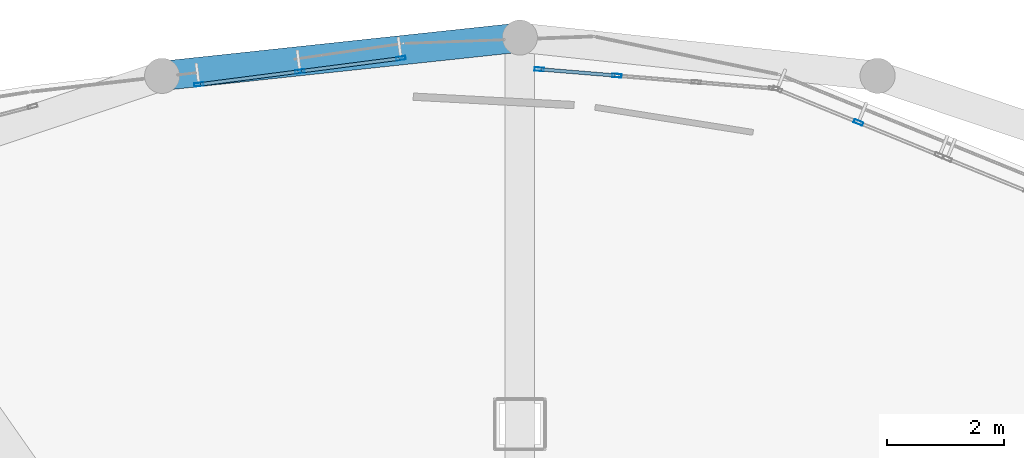
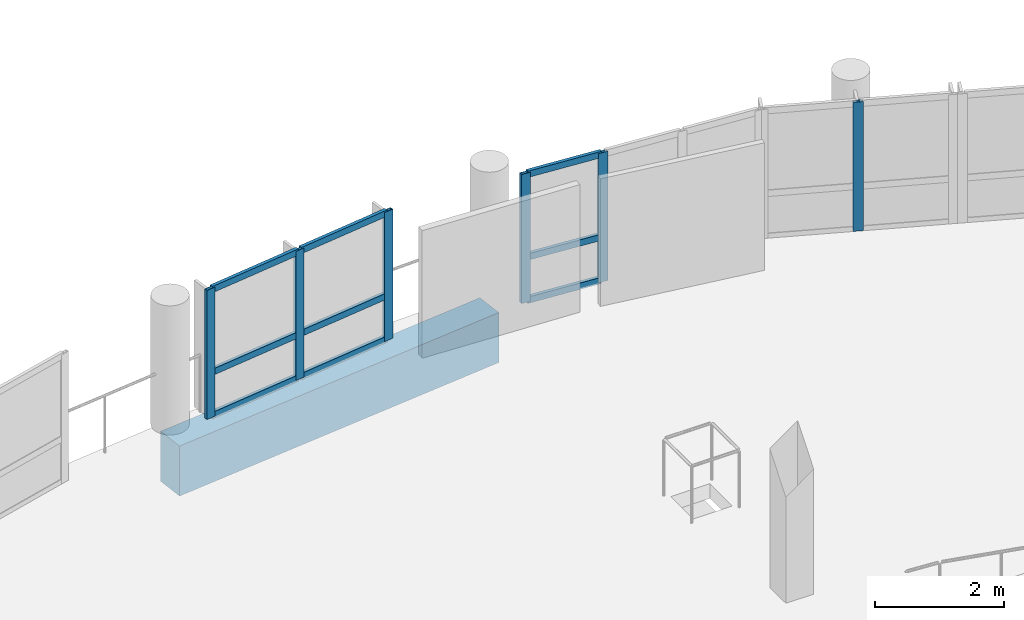
# One storey, part 21 of 43: 15 members, 1 beam, 3 elements without a shape of their own.
"""IFC4 building model written with IfcOpenShell, lengths in metres."""

import ifcopenshell
import ifcopenshell.guid

model = None  # the IFC model being written
_history = None  # IfcOwnerHistory: only IFC2X3 demands one
_inside = {}  # id of a spatial element -> (the spatial element, [elements in it])
_under = {}  # id of a project, library or spatial element -> (it, [spatial elements below it])
_declared = {}  # id of a project -> (the project, [libraries it declares])
_typed = {}  # id of a type object -> (the type object, [elements of that type])
_made_of = {}  # id of a material, layer set ... -> (it, [elements and type objects made of it])


def new_model(schema):
    """Start an empty IFC model of exactly this schema.

    Asked for "IFC4X3", IfcOpenShell would pick the latest addendum, in which some entities
    have other attributes; the version numbers below select the first issue.
    IFC2X3 requires an IfcOwnerHistory on every rooted entity: one is made here for all.
    """
    global model, _history
    if schema == "IFC4X3":
        model = ifcopenshell.file(schema_version=(4, 3, 0, 0))
    else:
        model = ifcopenshell.file(schema=schema)
    _inside.clear()
    _under.clear()
    _declared.clear()
    _typed.clear()
    _made_of.clear()
    _history = None
    if model.schema == "IFC2X3":
        org = make("IfcOrganization", Name="unknown")
        user = make(
            "IfcPersonAndOrganization",
            ThePerson=make("IfcPerson", FamilyName="unknown"),
            TheOrganization=org,
        )
        app = make(
            "IfcApplication",
            ApplicationDeveloper=org,
            Version="unknown",
            ApplicationFullName="unknown",
            ApplicationIdentifier="unknown",
        )
        _history = make(
            "IfcOwnerHistory",
            OwningUser=user,
            OwningApplication=app,
            ChangeAction="ADDED",
            CreationDate=0,
        )
    return model


def make(cls, **values):
    """One entity of the class cls with the attributes given. An attribute that is None is left unset."""
    return model.create_entity(
        cls, **{name: value for name, value in values.items() if value is not None}
    )


def rooted(cls, **values):
    """An entity with a GlobalId (a new one), such as an element, a storey or a relation."""
    return make(cls, GlobalId=ifcopenshell.guid.new(), OwnerHistory=_history, **values)


def si_unit(unit_type, name, prefix=None):
    """IfcSIUnit, for example si_unit("LENGTHUNIT", "METRE", prefix="MILLI")."""
    return make("IfcSIUnit", UnitType=unit_type, Prefix=prefix, Name=name)


def derived_unit(unit_type, elements):
    """IfcDerivedUnit: a product of units, each with its exponent."""
    return make(
        "IfcDerivedUnit",
        Elements=[
            make("IfcDerivedUnitElement", Unit=unit, Exponent=power)
            for unit, power in elements
        ],
        UnitType=unit_type,
    )


def assignment(units):
    """IfcUnitAssignment: the units of a project."""
    return None if units is None else make("IfcUnitAssignment", Units=units)


def point(xyz):
    """IfcCartesianPoint."""
    return None if xyz is None else make("IfcCartesianPoint", Coordinates=xyz)


def direction(xyz):
    """IfcDirection."""
    return None if xyz is None else make("IfcDirection", DirectionRatios=xyz)


def frame(location, z_axis=None, x_axis=None):
    """IfcAxis2Placement3D, a coordinate frame: its origin and axes. An axis left out is left unset."""
    return make(
        "IfcAxis2Placement3D",
        Location=point(location),
        Axis=direction(z_axis),
        RefDirection=direction(x_axis),
    )


def frame_2d(location, x_axis=None):
    """IfcAxis2Placement2D, a coordinate frame in the plane: its origin and x axis."""
    return make(
        "IfcAxis2Placement2D", Location=point(location), RefDirection=direction(x_axis)
    )


def origin():
    """The frame at (0, 0, 0) with its axes left unset."""
    return frame((0.0, 0.0, 0.0))


def origin_2d():
    """The frame at (0, 0) in the plane with its x axis left unset."""
    return frame_2d((0.0, 0.0))


def place(relative_to, where):
    """IfcLocalPlacement: puts the frame where relative to a parent placement (None: the world)."""
    return make(
        "IfcLocalPlacement", PlacementRelTo=relative_to, RelativePlacement=where
    )


def context(
    kind, dimensions, precision=None, world=None, true_north=None, identifier=None
):
    """IfcGeometricRepresentationContext, for example the 3D "Model" context."""
    return make(
        "IfcGeometricRepresentationContext",
        ContextIdentifier=identifier,
        ContextType=kind,
        CoordinateSpaceDimension=dimensions,
        Precision=precision,
        WorldCoordinateSystem=world,
        TrueNorth=true_north,
    )


def subcontext(parent, identifier, kind, view, scale=None):
    """IfcGeometricRepresentationSubContext, for example "Body" below "Model"."""
    return make(
        "IfcGeometricRepresentationSubContext",
        ContextIdentifier=identifier,
        ContextType=kind,
        ParentContext=parent,
        TargetScale=scale,
        TargetView=view,
    )


def project(units=None, contexts=None):
    """IfcProject with its units and contexts."""
    return rooted(
        "IfcProject",
        Name="project",
        RepresentationContexts=contexts,
        UnitsInContext=assignment(units),
    )


def spatial(cls, under=None, at=None, **own):
    """A site, building, storey or space (cls), placed at a placement, below another one or the project."""
    s = rooted(cls, ObjectPlacement=at, **own)
    if under is not None:
        _under.setdefault(under.id(), (under, []))[1].append(s)
    return s


def profile(cls, at=None, kind="AREA", **sizes):
    """A parametric profile (cls). Its sizes go by their IFC names, for example OverallWidth=200.0."""
    return make(cls, ProfileType=kind, Position=at, **sizes)


def rectangle(**sizes):
    """IfcRectangleProfileDef."""
    return profile("IfcRectangleProfileDef", **sizes)


def hollow_rectangle(**sizes):
    """IfcRectangleHollowProfileDef."""
    return profile("IfcRectangleHollowProfileDef", **sizes)


def extrude(swept, where, along, depth):
    """IfcExtrudedAreaSolid: the profile swept, set in the frame where, extruded along a direction by depth."""
    return make(
        "IfcExtrudedAreaSolid",
        SweptArea=swept,
        Position=where,
        ExtrudedDirection=direction(along),
        Depth=depth,
    )


def shape(context_of_items, identifier, shape_type, items):
    """IfcShapeRepresentation: the items that make up one representation, for example the "Body"."""
    return make(
        "IfcShapeRepresentation",
        ContextOfItems=context_of_items,
        RepresentationIdentifier=identifier,
        RepresentationType=shape_type,
        Items=items,
    )


def material(Name=None, Category=None):
    """IfcMaterial."""
    return make("IfcMaterial", Name=Name, Category=Category)


def layer(
    of_material, thickness, ventilated=None, Name=None, Category=None, Priority=None
):
    """IfcMaterialLayer: one layer of a wall or slab, of a material (None: an air gap)."""
    return make(
        "IfcMaterialLayer",
        Material=of_material,
        LayerThickness=thickness,
        IsVentilated=ventilated,
        Name=Name,
        Category=Category,
        Priority=Priority,
    )


def layer_set(layers, Name=None):
    """IfcMaterialLayerSet."""
    return make("IfcMaterialLayerSet", MaterialLayers=layers, LayerSetName=Name)


def material_profile(
    of_material, cross_section, Name=None, Category=None, Priority=None
):
    """IfcMaterialProfile: a cross section and its material."""
    return make(
        "IfcMaterialProfile",
        Name=Name,
        Material=of_material,
        Profile=cross_section,
        Priority=Priority,
        Category=Category,
    )


def profile_set(profiles, Name=None, composite=None):
    """IfcMaterialProfileSet."""
    return make(
        "IfcMaterialProfileSet",
        Name=Name,
        MaterialProfiles=profiles,
        CompositeProfile=composite,
    )


def made_of(thing, what):
    """Note that an element or type object is made of a material, layer set ...; save() writes the relation."""
    if what is not None:
        _made_of.setdefault(what.id(), (what, []))[1].append(thing)
    return thing


def type_object(cls, material=None, **own):
    """A type object (cls), such as IfcWallType, which elements share."""
    return made_of(rooted(cls, **own), material)


def element(
    cls,
    number,
    at=None,
    inside=None,
    cuts=None,
    type_object=None,
    material=None,
    context=None,
    identifier="Body",
    shape_type=None,
    held_by="IfcProductDefinitionShape",
    body=None,
    shapes=None,
    **own,
):
    """One element of the class cls, such as IfcWall. Its Tag is "e" and its number.

    at: its placement. inside: the storey or other place that contains it. cuts: it is an
    opening in that element (IfcRelVoidsElement). A single representation is given by context,
    identifier, shape_type and body (its items); several are given by shapes. held_by: the class
    of the entity that holds the representations. save() writes the other relations.
    """
    e = rooted(cls, Tag="e%d" % number, ObjectPlacement=at, **own)
    if body is not None:
        shapes = [shape(context, identifier, shape_type, body)]
    if shapes is not None:
        e.Representation = make(held_by, Representations=shapes)
    if inside is not None:
        _inside.setdefault(inside.id(), (inside, []))[1].append(e)
    if cuts is not None:
        rooted(
            "IfcRelVoidsElement", RelatingBuildingElement=cuts, RelatedOpeningElement=e
        )
    if type_object is not None:
        _typed.setdefault(type_object.id(), (type_object, []))[1].append(e)
    return made_of(e, material)


def aggregate(whole, parts):
    """IfcRelAggregates: a whole, such as a stair, and the parts it consists of."""
    return rooted("IfcRelAggregates", RelatingObject=whole, RelatedObjects=parts)


def save(model, path):
    """Write the relations noted so far, then the file.

    IfcRelAggregates (storeys below a building ...), IfcRelContainedInSpatialStructure (elements
    in a storey), IfcRelDefinesByType, IfcRelAssociatesMaterial and IfcRelDeclares: one each for
    every whole, place, type object, material and project.
    """
    for whole, parts in _under.values():
        aggregate(whole, parts)
    for where, things in _inside.values():
        rooted(
            "IfcRelContainedInSpatialStructure",
            RelatedElements=things,
            RelatingStructure=where,
        )
    for kind, things in _typed.values():
        rooted("IfcRelDefinesByType", RelatedObjects=things, RelatingType=kind)
    for what, things in _made_of.values():
        rooted("IfcRelAssociatesMaterial", RelatedObjects=things, RelatingMaterial=what)
    for by, libraries in _declared.values():
        rooted("IfcRelDeclares", RelatingContext=by, RelatedDefinitions=libraries)
    model.write(path)


model = new_model("IFC4")

# Units and contexts
model_context = context("Model", 3, precision=1e-05, world=origin(), true_north=direction((0.0, 1.0)))
body_context = subcontext(model_context, "Body", "Model", "MODEL_VIEW")
ifc_project = project(units=[si_unit("LENGTHUNIT", "METRE"), si_unit("AREAUNIT", "SQUARE_METRE"), si_unit("VOLUMEUNIT", "CUBIC_METRE"), si_unit("PLANEANGLEUNIT", "RADIAN"), si_unit("MASSUNIT", "GRAM", prefix="KILO"), derived_unit("THERMALTRANSMITTANCEUNIT", [(si_unit("POWERUNIT", "WATT"), 1), (si_unit("LENGTHUNIT", "METRE"), -2), (si_unit("THERMODYNAMICTEMPERATUREUNIT", "KELVIN"), -1)])], contexts=[model_context])

# Site, building, storey
site_placement = place(None, origin())
site = spatial("IfcSite", under=ifc_project, at=site_placement, CompositionType="ELEMENT")
building_placement = place(site_placement, origin())
building = spatial("IfcBuilding", under=site, at=building_placement, Name="Elbkamm Science Centre", CompositionType="ELEMENT")
storey_placement = place(building_placement, frame((0.0, 0.0, 18.300048828125)))
storey = spatial("IfcBuildingStorey", under=building, at=storey_placement, Name="L04", CompositionType="ELEMENT", Elevation=18.300048828125)

# Beam
ifc_material_1 = material(Name="Concrete C40/50", Category="concrete")
ifc_material_profile_1 = material_profile(ifc_material_1, rectangle(XDim=0.5, YDim=0.949951171875, at=origin_2d()), Name="RC 500x950")
ifc_profile_set_1 = profile_set([ifc_material_profile_1], Name="Concrete C40/50")
beam_type = type_object("IfcBeamType", Name="BM-RC-500x950", PredefinedType="BEAM", material=ifc_profile_set_1)
beam_placement = place(storey_placement, frame((63.0, 86.39990234375, -0.755126953125), z_axis=(-0.994319674005, -0.106434890358, 0.0), x_axis=(0.106434890358, -0.994319674005, 0.0)))
element("IfcBeam", 1, at=beam_placement, inside=storey, type_object=beam_type, Name="L04 Elliptical Shell Perimeter Ring Beam 07", PredefinedType="SPANDREL", context=body_context, shape_type="SweptSolid", body=[
    extrude(rectangle(XDim=0.5, YDim=0.949951171875, at=origin_2d()), origin(), (0.0, 0.0, 1.0), 6.142822265625),
])

# Curtain wall, member
ifc_material_2 = material(Name="Powder-coated aluminium and triple low-E glazing", Category="aluminium")
ifc_layer_1 = layer(ifc_material_2, 0.159912109375)
ifc_layer_set_1 = layer_set([ifc_layer_1], Name="Powder-coated aluminium and triple low-E glazing")
curtain_wall_type_1 = type_object("IfcCurtainWallType", Name="CW-UNIT-3060x2460", PredefinedType="USERDEFINED", material=ifc_layer_set_1)
curtain_wall_1_placement = place(storey_placement, origin())
curtain_wall_1 = element("IfcCurtainWall", 2, at=curtain_wall_1_placement, inside=storey, type_object=curtain_wall_type_1, Name="L04 Unitised Curtain Wall 081", ObjectType="UNITISED CURTAIN WALL", PredefinedType="USERDEFINED")
ifc_material_3 = material(Name="Powder-coated aluminium EN AW-6060", Category="aluminium")
ifc_material_profile_2 = material_profile(ifc_material_3, hollow_rectangle(XDim=0.06005859375, YDim=0.159912109375, WallThickness=0.00390625, at=origin_2d()), Name="ALU M60x160")
ifc_profile_set_2 = profile_set([ifc_material_profile_2], Name="Powder-coated aluminium EN AW-6060")
member_type_1 = type_object("IfcMemberType", Name="CW-MUL-60x160", PredefinedType="MULLION", material=ifc_profile_set_2)
member_1_placement = place(storey_placement, frame((68.780517578125, 84.950439453125, 0.0), z_axis=(0.0, 0.0, 1.0), x_axis=(-0.378001302905, -0.925805063176, 0.0)))
member_1 = element("IfcMember", 3, at=member_1_placement, type_object=member_type_1, Name="CW-036 mullion 2", PredefinedType="MULLION", context=body_context, shape_type="SweptSolid", body=[
    extrude(hollow_rectangle(XDim=0.06005859375, YDim=0.159912109375, WallThickness=0.00390625, at=origin_2d()), origin(), (0.0, 0.0, 1.0), 2.449951171875),
])
aggregate(curtain_wall_1, [member_1])

# Curtain wall, members
ifc_layer_2 = layer(ifc_material_2, 0.159912109375)
ifc_layer_set_2 = layer_set([ifc_layer_2], Name="Powder-coated aluminium and triple low-E glazing")
curtain_wall_type_2 = type_object("IfcCurtainWallType", Name="CW-UNIT-4080x2460", PredefinedType="USERDEFINED", material=ifc_layer_set_2)
curtain_wall_2_placement = place(storey_placement, origin())
curtain_wall_2 = element("IfcCurtainWall", 4, at=curtain_wall_2_placement, inside=storey, type_object=curtain_wall_type_2, Name="L04 Unitised Curtain Wall 082", ObjectType="UNITISED CURTAIN WALL", PredefinedType="USERDEFINED")
member_2_placement = place(storey_placement, frame((64.65625, 85.749755859375, 0.0), z_axis=(0.0, 0.0, 1.0), x_axis=(-0.081806179051, -0.996648257445, 0.0)))
member_2 = element("IfcMember", 5, at=member_2_placement, type_object=member_type_1, Name="CW-037 mullion 3", PredefinedType="MULLION", context=body_context, shape_type="SweptSolid", body=[
    extrude(hollow_rectangle(XDim=0.06005859375, YDim=0.159912109375, WallThickness=0.00390625, at=origin_2d()), origin(), (0.0, 0.0, 1.0), 2.449951171875),
])
member_3_placement = place(storey_placement, frame((63.330810546875, 85.858642578125, 0.0), z_axis=(0.0, 0.0, 1.0), x_axis=(-0.081806179051, -0.996648257445, 0.0)))
member_3 = element("IfcMember", 6, at=member_3_placement, type_object=member_type_1, Name="CW-037 mullion 4", PredefinedType="MULLION", context=body_context, shape_type="SweptSolid", body=[
    extrude(hollow_rectangle(XDim=0.06005859375, YDim=0.159912109375, WallThickness=0.00390625, at=origin_2d()), origin(), (0.0, 0.0, 1.0), 2.449951171875),
])

ifc_layer_3 = layer(ifc_material_2, 0.159912109375)
ifc_layer_set_3 = layer_set([ifc_layer_3], Name="Powder-coated aluminium and triple low-E glazing")
curtain_wall_type_3 = type_object("IfcCurtainWallType", Name="CW-UNIT-3540x2460", PredefinedType="USERDEFINED", material=ifc_layer_set_3)
curtain_wall_3_placement = place(storey_placement, origin())
curtain_wall_3 = element("IfcCurtainWall", 7, at=curtain_wall_3_placement, inside=storey, type_object=curtain_wall_type_3, Name="L04 Unitised Curtain Wall 083", ObjectType="UNITISED CURTAIN WALL", PredefinedType="USERDEFINED")
member_4_placement = place(storey_placement, frame((60.97021484375, 86.046142578125, 0.0), z_axis=(0.0, 0.0, 1.0), x_axis=(0.128749601818, -0.991677134975, 0.0)))
member_4 = element("IfcMember", 8, at=member_4_placement, type_object=member_type_1, Name="CW-038 mullion 1", PredefinedType="MULLION", context=body_context, shape_type="SweptSolid", body=[
    extrude(hollow_rectangle(XDim=0.06005859375, YDim=0.159912109375, WallThickness=0.00390625, at=origin_2d()), origin(), (0.0, 0.0, 1.0), 2.449951171875),
])
member_5_placement = place(storey_placement, frame((59.245361328125, 85.822265625, 0.0), z_axis=(0.0, 0.0, 1.0), x_axis=(0.128749601818, -0.991677134975, 0.0)))
member_5 = element("IfcMember", 9, at=member_5_placement, type_object=member_type_1, Name="CW-038 mullion 2", PredefinedType="MULLION", context=body_context, shape_type="SweptSolid", body=[
    extrude(hollow_rectangle(XDim=0.06005859375, YDim=0.159912109375, WallThickness=0.00390625, at=origin_2d()), origin(), (0.0, 0.0, 1.0), 2.449951171875),
])
member_6_placement = place(storey_placement, frame((57.5205078125, 85.59814453125, 0.0), z_axis=(0.0, 0.0, 1.0), x_axis=(0.128749601818, -0.991677134975, 0.0)))
member_6 = element("IfcMember", 10, at=member_6_placement, type_object=member_type_1, Name="CW-038 mullion 3", PredefinedType="MULLION", context=body_context, shape_type="SweptSolid", body=[
    extrude(hollow_rectangle(XDim=0.06005859375, YDim=0.159912109375, WallThickness=0.00390625, at=origin_2d()), origin(), (0.0, 0.0, 1.0), 2.449951171875),
])

# Member
ifc_material_profile_3 = material_profile(ifc_material_3, hollow_rectangle(XDim=0.06005859375, YDim=0.1201171875, WallThickness=0.00341796875, at=origin_2d()), Name="ALU T60x120")
ifc_profile_set_3 = profile_set([ifc_material_profile_3], Name="Powder-coated aluminium EN AW-6060")
member_type_2 = type_object("IfcMemberType", Name="CW-TRN-60x120", PredefinedType="USERDEFINED", material=ifc_profile_set_3)
member_7_placement = place(storey_placement, frame((64.62646484375, 85.752197265625, 0.030029296875), z_axis=(-0.996641852652, 0.0818841715, 0.0), x_axis=(-0.0818841715, -0.996641852652, 0.0)))
member_7 = element("IfcMember", 11, at=member_7_placement, type_object=member_type_2, Name="CW-037 transom 3.1", ObjectType="TRANSOM", PredefinedType="USERDEFINED", context=body_context, shape_type="SweptSolid", body=[
    extrude(hollow_rectangle(XDim=0.06005859375, YDim=0.1201171875, WallThickness=0.00341796875, at=origin_2d()), origin(), (0.0, 0.0, 1.0), 1.27001953125),
])

member_8_placement = place(storey_placement, frame((64.62646484375, 85.752197265625, 0.849853515625), z_axis=(-0.996641852652, 0.0818841715, 0.0), x_axis=(-0.0818841715, -0.996641852652, 0.0)))
member_8 = element("IfcMember", 12, at=member_8_placement, type_object=member_type_2, Name="CW-037 transom 3.2", ObjectType="TRANSOM", PredefinedType="USERDEFINED", context=body_context, shape_type="SweptSolid", body=[
    extrude(hollow_rectangle(XDim=0.06005859375, YDim=0.1201171875, WallThickness=0.00341796875, at=origin_2d()), origin(), (0.0, 0.0, 1.0), 1.27001953125),
])

member_9_placement = place(storey_placement, frame((64.62646484375, 85.752197265625, 2.419921875), z_axis=(-0.996641852652, 0.0818841715, 0.0), x_axis=(-0.0818841715, -0.996641852652, 0.0)))
member_9 = element("IfcMember", 13, at=member_9_placement, type_object=member_type_2, Name="CW-037 transom 3.3", ObjectType="TRANSOM", PredefinedType="USERDEFINED", context=body_context, shape_type="SweptSolid", body=[
    extrude(hollow_rectangle(XDim=0.06005859375, YDim=0.1201171875, WallThickness=0.00341796875, at=origin_2d()), origin(), (0.0, 0.0, 1.0), 1.27001953125),
])

aggregate(curtain_wall_2, [member_2, member_3, member_7, member_8, member_9])

member_10_placement = place(storey_placement, frame((60.9404296875, 86.042236328125, 0.030029296875), z_axis=(-0.991687740726, -0.12866788602, 0.0), x_axis=(0.12866788602, -0.991687740726, 0.0)))
member_10 = element("IfcMember", 14, at=member_10_placement, type_object=member_type_2, Name="CW-038 transom 1.1", ObjectType="TRANSOM", PredefinedType="USERDEFINED", context=body_context, shape_type="SweptSolid", body=[
    extrude(hollow_rectangle(XDim=0.06005859375, YDim=0.1201171875, WallThickness=0.00341796875, at=origin_2d()), origin(), (0.0, 0.0, 1.0), 1.67919921875),
])

member_11_placement = place(storey_placement, frame((60.9404296875, 86.042236328125, 0.849853515625), z_axis=(-0.991687740726, -0.12866788602, 0.0), x_axis=(0.12866788602, -0.991687740726, 0.0)))
member_11 = element("IfcMember", 15, at=member_11_placement, type_object=member_type_2, Name="CW-038 transom 1.2", ObjectType="TRANSOM", PredefinedType="USERDEFINED", context=body_context, shape_type="SweptSolid", body=[
    extrude(hollow_rectangle(XDim=0.06005859375, YDim=0.1201171875, WallThickness=0.00341796875, at=origin_2d()), origin(), (0.0, 0.0, 1.0), 1.67919921875),
])

member_12_placement = place(storey_placement, frame((60.9404296875, 86.042236328125, 2.419921875), z_axis=(-0.991687740726, -0.12866788602, 0.0), x_axis=(0.12866788602, -0.991687740726, 0.0)))
member_12 = element("IfcMember", 16, at=member_12_placement, type_object=member_type_2, Name="CW-038 transom 1.3", ObjectType="TRANSOM", PredefinedType="USERDEFINED", context=body_context, shape_type="SweptSolid", body=[
    extrude(hollow_rectangle(XDim=0.06005859375, YDim=0.1201171875, WallThickness=0.00341796875, at=origin_2d()), origin(), (0.0, 0.0, 1.0), 1.67919921875),
])

member_13_placement = place(storey_placement, frame((59.215576171875, 85.818359375, 0.030029296875), z_axis=(-0.991669179567, -0.128810862498, 0.0), x_axis=(0.128810862498, -0.991669179567, 0.0)))
member_13 = element("IfcMember", 17, at=member_13_placement, type_object=member_type_2, Name="CW-038 transom 2.1", ObjectType="TRANSOM", PredefinedType="USERDEFINED", context=body_context, shape_type="SweptSolid", body=[
    extrude(hollow_rectangle(XDim=0.06005859375, YDim=0.1201171875, WallThickness=0.00341796875, at=origin_2d()), origin(), (0.0, 0.0, 1.0), 1.67919921875),
])

member_14_placement = place(storey_placement, frame((59.215576171875, 85.818359375, 0.849853515625), z_axis=(-0.991669179567, -0.128810862498, 0.0), x_axis=(0.128810862498, -0.991669179567, 0.0)))
member_14 = element("IfcMember", 18, at=member_14_placement, type_object=member_type_2, Name="CW-038 transom 2.2", ObjectType="TRANSOM", PredefinedType="USERDEFINED", context=body_context, shape_type="SweptSolid", body=[
    extrude(hollow_rectangle(XDim=0.06005859375, YDim=0.1201171875, WallThickness=0.00341796875, at=origin_2d()), origin(), (0.0, 0.0, 1.0), 1.67919921875),
])

member_15_placement = place(storey_placement, frame((59.215576171875, 85.818359375, 2.419921875), z_axis=(-0.991669179567, -0.128810862498, 0.0), x_axis=(0.128810862498, -0.991669179567, 0.0)))
member_15 = element("IfcMember", 19, at=member_15_placement, type_object=member_type_2, Name="CW-038 transom 2.3", ObjectType="TRANSOM", PredefinedType="USERDEFINED", context=body_context, shape_type="SweptSolid", body=[
    extrude(hollow_rectangle(XDim=0.06005859375, YDim=0.1201171875, WallThickness=0.00341796875, at=origin_2d()), origin(), (0.0, 0.0, 1.0), 1.67919921875),
])

aggregate(curtain_wall_3, [member_4, member_5, member_6, member_10, member_11, member_12, member_13, member_14, member_15])

save(model, "model.ifc")
